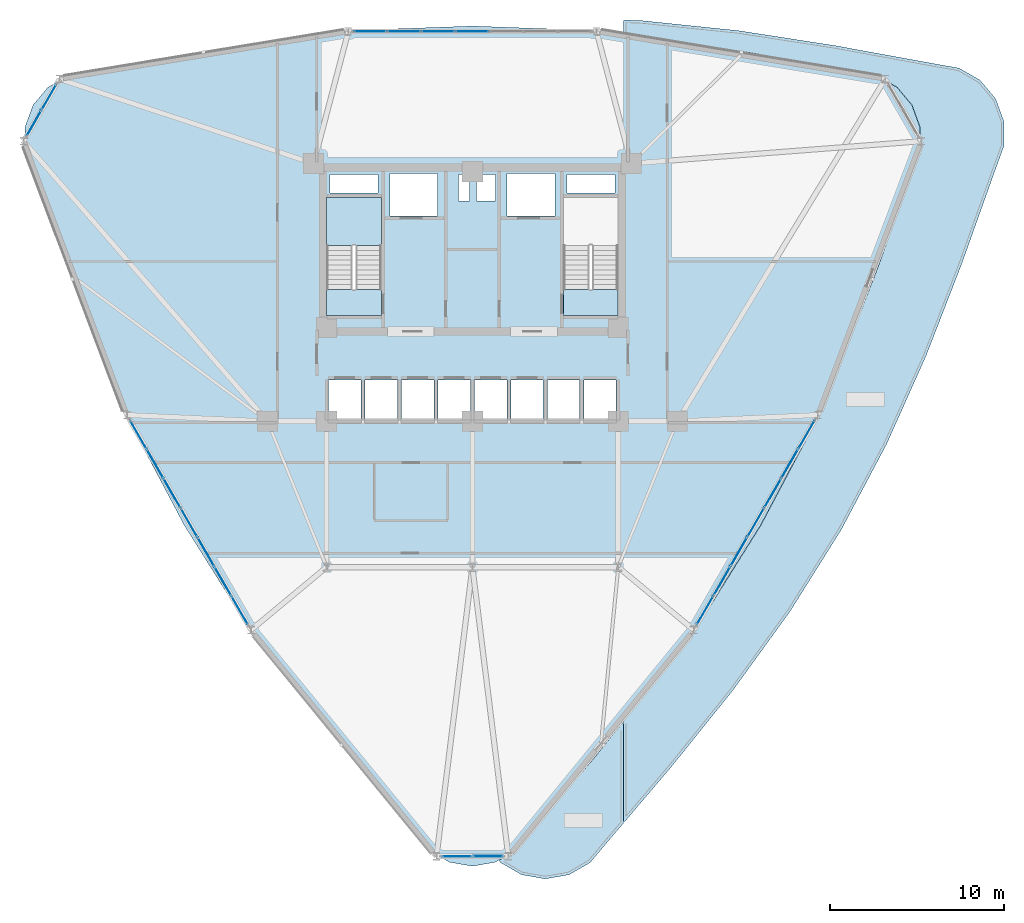
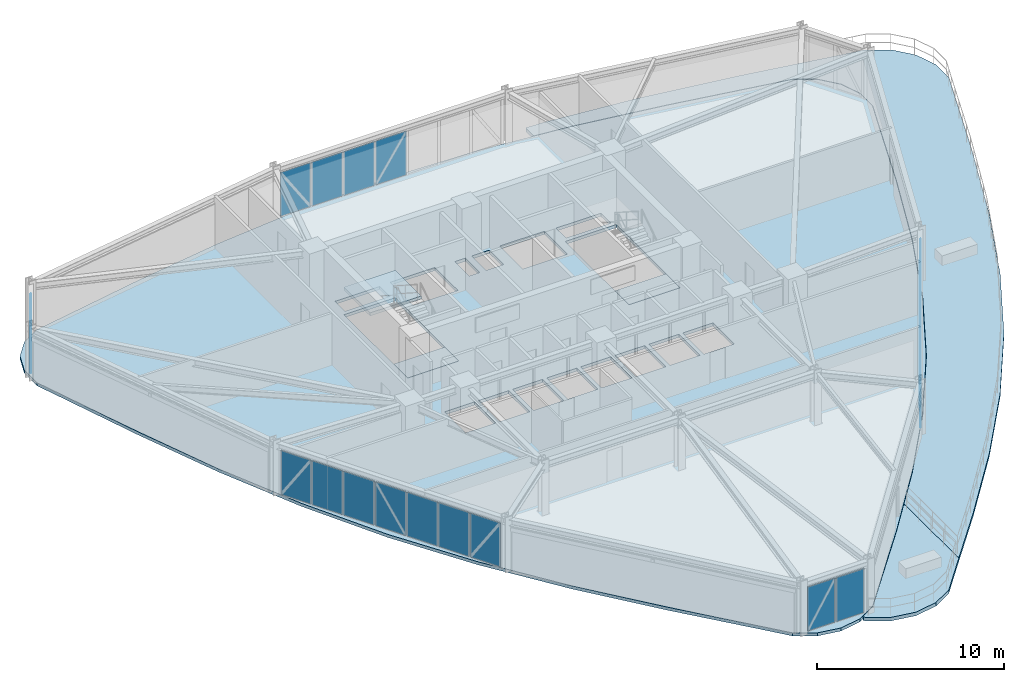
# One storey, part 16 of 23: 22 plates, 6 slabs, 6 elements without a shape of their own.
"""IFC4 building model written with IfcOpenShell, lengths in metres."""

from ifc_helpers import new_model, si_unit, derived_unit, direction, frame, origin, origin_2d, place, context, subcontext, project, spatial, polyline, rectangle, outline, extrude, source, transform, mapped, material, layer, layer_set, type_object, element, aggregate, save


model = new_model("IFC4")

# Units and contexts
model_context = context("Model", 3, precision=1e-05, world=origin(), true_north=direction((0.0, 1.0)))
body_context = subcontext(model_context, "Body", "Model", "MODEL_VIEW")
ifc_project = project(units=[si_unit("LENGTHUNIT", "METRE"), si_unit("AREAUNIT", "SQUARE_METRE"), si_unit("VOLUMEUNIT", "CUBIC_METRE"), si_unit("PLANEANGLEUNIT", "RADIAN"), si_unit("MASSUNIT", "GRAM", prefix="KILO"), derived_unit("THERMALTRANSMITTANCEUNIT", [(si_unit("POWERUNIT", "WATT"), 1), (si_unit("LENGTHUNIT", "METRE"), -2), (si_unit("THERMODYNAMICTEMPERATUREUNIT", "KELVIN"), -1)])], contexts=[model_context])

# Site, building, storey
site_placement = place(None, origin())
site = spatial("IfcSite", under=ifc_project, at=site_placement, CompositionType="ELEMENT")
building_placement = place(site_placement, origin())
building = spatial("IfcBuilding", under=site, at=building_placement, Name="Korsvarv Bourse and Concert Hall", CompositionType="ELEMENT")
storey_placement = place(building_placement, frame((0.0, 0.0, 99.0)))
storey = spatial("IfcBuildingStorey", under=building, at=storey_placement, Name="L24", CompositionType="ELEMENT", Elevation=99.0)

# Slabs
ifc_material_1 = material(Name="Precast concrete C45/55", Category="concrete")
ifc_layer_1 = layer(ifc_material_1, 0.199951171875)
ifc_layer_set_1 = layer_set([ifc_layer_1], Name="Precast concrete C45/55")
slab_type_1 = type_object("IfcSlabType", Name="SLB-FLND-T", PredefinedType="LANDING", material=ifc_layer_set_1)
slab_1_placement = place(storey_placement, frame((0.0, 0.0, -0.199951171875)))
element("IfcSlab", 1, at=slab_1_placement, inside=storey, type_object=slab_type_1, Name="L24 Stair ST-T1 Floor Landing Slab", PredefinedType="LANDING", context=body_context, shape_type="SweptSolid", body=[
    extrude(outline(polyline([(30.760009765625, 38.5), (30.760009765625, 40.0), (27.60009765625, 40.0), (27.60009765625, 38.5), (30.760009765625, 38.5)])), origin(), (0.0, 0.0, 1.0), 0.199951171875),
])
slab_2_placement = place(storey_placement, frame((0.0, 0.0, -0.199951171875)))
element("IfcSlab", 2, at=slab_2_placement, inside=storey, type_object=slab_type_1, Name="L24 Stair ST-T2 Floor Landing Slab", PredefinedType="LANDING", context=body_context, shape_type="SweptSolid", body=[
    extrude(outline(polyline([(44.39990234375, 38.5), (44.39990234375, 40.0), (41.239990234375, 40.0), (41.239990234375, 38.5), (44.39990234375, 38.5)])), origin(), (0.0, 0.0, 1.0), 0.199951171875),
])
ifc_material_2 = material(Name="Concrete C45/55", Category="concrete")
ifc_layer_2 = layer(ifc_material_2, 0.22998046875)
ifc_layer_set_2 = layer_set([ifc_layer_2], Name="Concrete C45/55")
slab_type_2 = type_object("IfcSlabType", Name="SLB-SKY", PredefinedType="FLOOR", material=ifc_layer_set_2)
slab_3_placement = place(storey_placement, frame((0.0, 0.0, -0.22998046875)))
element("IfcSlab", 3, at=slab_3_placement, inside=storey, type_object=slab_type_2, Name="L24 Crescent Sky Garden Terrace 1", PredefinedType="FLOOR", context=body_context, shape_type="SweptSolid", body=[
    extrude(outline(polyline([(49.720947265625, 21.80224609375), (49.721435546875, 21.802978515625), (52.60888671875, 26.409912109375), (52.609375, 26.41064453125), (52.60986328125, 26.411376953125), (55.15576171875, 31.21533203125), (55.15625, 31.21630859375), (55.156494140625, 31.216796875), (57.39111328125, 36.21240234375), (57.391357421875, 36.212890625), (57.3916015625, 36.213623046875), (59.39111328125, 41.365478515625), (59.39111328125, 41.36572265625), (59.391357421875, 41.3662109375), (61.26708984375, 46.615478515625), (61.26708984375, 46.615478515625), (61.268798828125, 46.6201171875), (61.268798828125, 46.620361328125), (61.7783203125, 48.020263671875), (61.778564453125, 48.020751953125), (61.77880859375, 48.02197265625), (61.779052734375, 48.02294921875), (61.779296875, 48.0244140625), (61.779296875, 48.02490234375), (61.779296875, 49.35888671875), (61.779296875, 49.359375), (61.779052734375, 49.360595703125), (61.77880859375, 49.361572265625), (61.778564453125, 49.36279296875), (61.7783203125, 49.36328125), (61.322021484375, 50.616943359375), (61.322021484375, 50.617431640625), (61.3212890625, 50.61865234375), (61.32080078125, 50.619384765625), (61.320068359375, 50.62060546875), (61.319580078125, 50.62109375), (60.46240234375, 51.642822265625), (60.4619140625, 51.643310546875), (60.4609375, 51.644287109375), (60.460205078125, 51.64501953125), (60.458984375, 51.645751953125), (60.45849609375, 51.64599609375), (59.30322265625, 52.31298828125), (59.302734375, 52.313232421875), (59.301513671875, 52.313720703125), (59.30078125, 52.314208984375), (59.29931640625, 52.314453125), (59.298828125, 52.314697265625), (57.831787109375, 52.5732421875), (57.83154296875, 52.5732421875), (57.826904296875, 52.57421875), (57.82666015625, 52.57421875), (52.343017578125, 53.574462890625), (52.342529296875, 53.574462890625), (52.34228515625, 53.57470703125), (46.880859375, 54.4189453125), (46.88037109375, 54.4189453125), (46.87939453125, 54.419189453125), (44.75390625, 54.638671875), (44.748046875, 54.6396484375), (44.7421875, 54.64111328125), (44.73681640625, 54.64306640625), (44.7314453125, 54.6455078125), (44.7265625, 54.648681640625), (44.7216796875, 54.652099609375), (44.717529296875, 54.656005859375), (44.71337890625, 54.660400390625), (44.7099609375, 54.665283203125), (44.70703125, 54.670166015625), (44.70458984375, 54.675537109375), (44.70263671875, 54.68115234375), (44.701171875, 54.686767578125), (44.7001953125, 54.692626953125), (44.699951171875, 54.698486328125), (44.699951171875, 55.457763671875), (44.7001953125, 55.463623046875), (44.701171875, 55.4697265625), (44.70263671875, 55.4755859375), (44.704833984375, 55.481201171875), (44.70751953125, 55.486572265625), (44.710693359375, 55.49169921875), (44.714111328125, 55.49658203125), (44.718505859375, 55.5009765625), (44.722900390625, 55.5048828125), (44.727783203125, 55.50830078125), (44.73291015625, 55.51123046875), (44.738525390625, 55.513916015625), (44.744384765625, 55.515625), (44.750244140625, 55.516845703125), (44.756103515625, 55.517578125), (44.76220703125, 55.517578125), (45.752197265625, 55.481689453125), (45.756103515625, 55.4814453125), (51.316650390625, 54.905517578125), (51.319580078125, 54.9052734375), (56.899169921875, 54.040283203125), (56.900634765625, 54.040283203125), (62.50341796875, 53.015869140625), (62.50390625, 53.015869140625), (62.5087890625, 53.014892578125), (62.509033203125, 53.014892578125), (64.0263671875, 52.747314453125), (64.031494140625, 52.74609375), (64.036376953125, 52.74462890625), (64.041259765625, 52.74267578125), (64.0458984375, 52.740234375), (65.236328125, 52.052978515625), (65.240966796875, 52.050048828125), (65.2451171875, 52.046875), (65.248779296875, 52.04345703125), (65.25244140625, 52.03955078125), (66.135986328125, 50.986328125), (66.139404296875, 50.982177734375), (66.14208984375, 50.977783203125), (66.14453125, 50.97314453125), (66.146484375, 50.96826171875), (66.61669921875, 49.67626953125), (66.618408203125, 49.671142578125), (66.619384765625, 49.666015625), (66.6201171875, 49.660888671875), (66.620361328125, 49.65576171875), (66.620361328125, 48.281005859375), (66.6201171875, 48.275634765625), (66.619384765625, 48.2705078125), (66.618408203125, 48.265380859375), (66.61669921875, 48.260498046875), (66.08984375, 46.812744140625), (66.08984375, 46.812744140625), (66.088134765625, 46.8076171875), (64.173583984375, 41.443115234375), (64.173095703125, 41.44140625), (62.132080078125, 36.17724609375), (62.131103515625, 36.17431640625), (59.849365234375, 31.071044921875), (59.84765625, 31.0673828125), (57.24755859375, 26.16015625), (57.245361328125, 26.156494140625), (54.295654296875, 21.450927734375), (54.293212890625, 21.447509765625), (51.014404296875, 16.919921875), (51.012451171875, 16.91748046875), (47.473876953125, 12.517822265625), (47.472900390625, 12.5166015625), (44.8056640625, 9.37841796875), (44.8017578125, 9.3740234375), (44.79736328125, 9.3701171875), (44.79248046875, 9.36669921875), (44.78759765625, 9.364013671875), (44.7822265625, 9.361572265625), (44.776611328125, 9.359619140625), (44.77099609375, 9.358154296875), (44.76513671875, 9.357421875), (44.75927734375, 9.357177734375), (44.75341796875, 9.357666015625), (44.747802734375, 9.3583984375), (44.7421875, 9.35986328125), (44.736572265625, 9.362060546875), (44.731201171875, 9.364501953125), (44.726318359375, 9.367431640625), (44.7216796875, 9.37109375), (44.71728515625, 9.375), (44.71337890625, 9.37939453125), (44.7099609375, 9.384033203125), (44.70703125, 9.38916015625), (44.70458984375, 9.394287109375), (44.702392578125, 9.39990234375), (44.701171875, 9.405517578125), (44.7001953125, 9.411376953125), (44.699951171875, 9.417236328125), (44.699951171875, 15.09326171875), (44.7001953125, 15.09912109375), (44.701171875, 15.104736328125), (44.702392578125, 15.1103515625), (44.704345703125, 15.11572265625), (44.706787109375, 15.12109375), (44.709716796875, 15.126220703125), (44.713134765625, 15.130615234375), (46.510986328125, 17.367431640625), (46.51123046875, 17.367919921875), (46.51171875, 17.368408203125), (49.720458984375, 21.801513671875), (49.720947265625, 21.80224609375)])), origin(), (0.0, 0.0, 1.0), 0.22998046875),
])
slab_4_placement = place(storey_placement, frame((0.0, 0.0, -0.22998046875)))
element("IfcSlab", 4, at=slab_4_placement, inside=storey, type_object=slab_type_2, Name="L24 Crescent Sky Garden Terrace 2", PredefinedType="FLOOR", context=body_context, shape_type="SweptSolid", body=[
    extrude(outline(polyline([(38.476318359375, 7.66259765625), (38.477294921875, 7.663330078125), (38.47802734375, 7.663818359375), (38.47900390625, 7.664794921875), (38.4794921875, 7.665283203125), (39.43701171875, 8.806396484375), (39.43701171875, 8.806396484375), (39.440185546875, 8.810302734375), (39.4404296875, 8.810302734375), (43.04833984375, 13.059326171875), (43.048583984375, 13.0595703125), (43.048828125, 13.06005859375), (44.59326171875, 14.9814453125), (44.59716796875, 14.98583984375), (44.6015625, 14.989990234375), (44.606201171875, 14.993408203125), (44.611328125, 14.99658203125), (44.61669921875, 14.9990234375), (44.6220703125, 15.001220703125), (44.6279296875, 15.002685546875), (44.6337890625, 15.00341796875), (44.6396484375, 15.00390625), (44.6455078125, 15.003662109375), (44.6513671875, 15.002685546875), (44.656982421875, 15.00146484375), (44.66259765625, 14.99951171875), (44.66796875, 14.996826171875), (44.673095703125, 14.993896484375), (44.677978515625, 14.990478515625), (44.682373046875, 14.986328125), (44.686279296875, 14.982177734375), (44.689697265625, 14.977294921875), (44.69287109375, 14.972412109375), (44.6953125, 14.966796875), (44.697509765625, 14.961181640625), (44.69873046875, 14.95556640625), (44.69970703125, 14.94970703125), (44.699951171875, 14.94384765625), (44.699951171875, 9.27587890625), (44.69970703125, 9.27001953125), (44.69873046875, 9.263916015625), (44.697265625, 9.25830078125), (44.6953125, 9.25244140625), (44.692626953125, 9.2470703125), (44.689453125, 9.241943359375), (44.685791015625, 9.237060546875), (43.784423828125, 8.1767578125), (43.7841796875, 8.176513671875), (43.781005859375, 8.172607421875), (43.78076171875, 8.17236328125), (42.79052734375, 6.9921875), (42.787109375, 6.98828125), (42.783203125, 6.98486328125), (42.779052734375, 6.981689453125), (42.7744140625, 6.978759765625), (41.583984375, 6.29150390625), (41.579345703125, 6.2890625), (41.574462890625, 6.287109375), (41.569580078125, 6.285400390625), (41.564453125, 6.2841796875), (40.21044921875, 6.04541015625), (40.205078125, 6.044921875), (40.199951171875, 6.044677734375), (40.19482421875, 6.044921875), (40.189697265625, 6.04541015625), (38.835693359375, 6.2841796875), (38.83056640625, 6.285400390625), (38.825439453125, 6.287109375), (38.82080078125, 6.2890625), (38.81591796875, 6.29150390625), (37.62548828125, 6.978759765625), (37.62109375, 6.981689453125), (37.616943359375, 6.98486328125), (37.613037109375, 6.98828125), (37.609619140625, 6.9921875), (37.559326171875, 7.052001953125), (37.555908203125, 7.056396484375), (37.552978515625, 7.061279296875), (37.55029296875, 7.066650390625), (37.54833984375, 7.072021484375), (37.546875, 7.07763671875), (37.5458984375, 7.08349609375), (37.54541015625, 7.08935546875), (37.545654296875, 7.09521484375), (37.54638671875, 7.100830078125), (37.547607421875, 7.1064453125), (37.54931640625, 7.112060546875), (37.5517578125, 7.117431640625), (37.5546875, 7.122314453125), (37.55810546875, 7.127197265625), (37.561767578125, 7.131591796875), (37.56591796875, 7.135498046875), (37.570556640625, 7.13916015625), (37.575439453125, 7.142333984375), (38.475830078125, 7.662109375), (38.476318359375, 7.66259765625)])), origin(), (0.0, 0.0, 1.0), 0.22998046875),
])

# Stair, slab
stair_type = type_object("IfcStairType", Name="STR-TYPE-04", PredefinedType="HALF_TURN_STAIR", material=ifc_material_1)
stair_placement = place(storey_placement, origin())
stair = element("IfcStair", 5, at=stair_placement, inside=storey, type_object=stair_type, Name="L24 Tower West Exit Stair ST-T1", PredefinedType="HALF_TURN_STAIR")
ifc_layer_3 = layer(ifc_material_1, 0.199951171875)
ifc_layer_set_3 = layer_set([ifc_layer_3], Name="Precast concrete C45/55")
slab_type_3 = type_object("IfcSlabType", Name="SLB-ST-LND", PredefinedType="LANDING", material=ifc_layer_set_3)
slab_5_placement = place(storey_placement, frame((0.0, 0.0, 1.60009765625)))
slab_5 = element("IfcSlab", 6, at=slab_5_placement, type_object=slab_type_3, Name="ST-T1 landing 1", PredefinedType="LANDING", context=body_context, shape_type="SweptSolid", body=[
    extrude(outline(polyline([(30.760009765625, 42.52001953125), (30.760009765625, 45.300048828125), (27.60009765625, 45.300048828125), (27.60009765625, 42.52001953125), (30.760009765625, 42.52001953125)])), origin(), (0.0, 0.0, 1.0), 0.199951171875),
])
aggregate(stair, [slab_5])

# Slab
ifc_layer_4 = layer(ifc_material_2, 0.199951171875)
ifc_layer_set_4 = layer_set([ifc_layer_4], Name="Concrete C45/55")
slab_type_4 = type_object("IfcSlabType", Name="SLB-TW2", PredefinedType="FLOOR", material=ifc_layer_set_4)
slab_6_placement = place(storey_placement, frame((0.0, 0.0, -0.199951171875)))
element("IfcSlab", 7, at=slab_6_placement, inside=storey, type_object=slab_type_4, Name="L24 tower structural floor slab", PredefinedType="FLOOR", context=body_context, shape_type="SweptSolid", body=[
    extrude(outline(polyline([(61.257568359375, 46.618896484375), (59.3818359375, 41.369384765625), (57.382080078125, 36.216796875), (55.147216796875, 31.220458984375), (52.6005859375, 26.41552734375), (49.712646484375, 21.807861328125), (46.50341796875, 17.3740234375), (43.041015625, 13.06591796875), (39.4326171875, 8.81689453125), (39.429443359375, 8.81298828125), (38.47119140625, 7.671142578125), (37.31494140625, 7.003662109375), (36.0, 6.771728515625), (34.68505859375, 7.003662109375), (33.52880859375, 7.671142578125), (32.570556640625, 8.81298828125), (32.5673828125, 8.81689453125), (28.958984375, 13.06591796875), (25.49658203125, 17.3740234375), (22.287353515625, 21.807861328125), (19.3994140625, 26.41552734375), (16.852783203125, 31.220458984375), (14.617919921875, 36.216796875), (12.6181640625, 41.369384765625), (10.742431640625, 46.618896484375), (10.740478515625, 46.623779296875), (10.230712890625, 48.024169921875), (10.230712890625, 49.359375), (10.6875, 50.614013671875), (11.5458984375, 51.636962890625), (12.7021484375, 52.3046875), (14.169921875, 52.5634765625), (14.175048828125, 52.564453125), (19.6591796875, 53.564697265625), (25.12109375, 54.4091796875), (30.5654296875, 54.9716796875), (36.0, 55.168701171875), (41.4345703125, 54.9716796875), (46.87890625, 54.4091796875), (52.3408203125, 53.564697265625), (57.824951171875, 52.564453125), (57.830078125, 52.5634765625), (59.2978515625, 52.3046875), (60.4541015625, 51.636962890625), (61.3125, 50.614013671875), (61.769287109375, 49.359375), (61.769287109375, 48.024169921875), (61.259521484375, 46.623779296875), (61.257568359375, 46.618896484375)]), holes=[polyline([(30.760009765625, 38.5), (30.760009765625, 45.300048828125), (27.60009765625, 45.300048828125), (27.60009765625, 38.5), (30.760009765625, 38.5)]), polyline([(44.39990234375, 38.5), (44.39990234375, 45.300048828125), (41.239990234375, 45.300048828125), (41.239990234375, 38.5), (44.39990234375, 38.5)]), polyline([(31.239990234375, 44.219970703125), (34.0, 44.219970703125), (34.0, 46.679931640625), (31.239990234375, 46.679931640625), (31.239990234375, 44.219970703125)]), polyline([(38.0, 44.219970703125), (40.760009765625, 44.219970703125), (40.760009765625, 46.679931640625), (38.0, 46.679931640625), (38.0, 44.219970703125)]), polyline([(27.719970703125, 32.52001953125), (29.580078125, 32.52001953125), (29.580078125, 34.780029296875), (27.719970703125, 34.780029296875), (27.719970703125, 32.52001953125)]), polyline([(29.820068359375, 32.52001953125), (31.679931640625, 32.52001953125), (31.679931640625, 34.780029296875), (29.820068359375, 34.780029296875), (29.820068359375, 32.52001953125)]), polyline([(31.919921875, 32.52001953125), (33.780029296875, 32.52001953125), (33.780029296875, 34.780029296875), (31.919921875, 34.780029296875), (31.919921875, 32.52001953125)]), polyline([(34.02001953125, 32.52001953125), (35.8798828125, 32.52001953125), (35.8798828125, 34.780029296875), (34.02001953125, 34.780029296875), (34.02001953125, 32.52001953125)]), polyline([(36.1201171875, 32.52001953125), (37.97998046875, 32.52001953125), (37.97998046875, 34.780029296875), (36.1201171875, 34.780029296875), (36.1201171875, 32.52001953125)]), polyline([(38.219970703125, 32.52001953125), (40.080078125, 32.52001953125), (40.080078125, 34.780029296875), (38.219970703125, 34.780029296875), (38.219970703125, 32.52001953125)]), polyline([(40.320068359375, 32.52001953125), (42.179931640625, 32.52001953125), (42.179931640625, 34.780029296875), (40.320068359375, 34.780029296875), (40.320068359375, 32.52001953125)]), polyline([(42.419921875, 32.52001953125), (44.280029296875, 32.52001953125), (44.280029296875, 34.780029296875), (42.419921875, 34.780029296875), (42.419921875, 32.52001953125)]), polyline([(27.800048828125, 45.56005859375), (30.56005859375, 45.56005859375), (30.56005859375, 46.6201171875), (27.800048828125, 46.6201171875), (27.800048828125, 45.56005859375)]), polyline([(41.43994140625, 45.56005859375), (44.199951171875, 45.56005859375), (44.199951171875, 46.6201171875), (41.43994140625, 46.6201171875), (41.43994140625, 45.56005859375)]), polyline([(35.199951171875, 45.080078125), (35.840087890625, 45.080078125), (35.840087890625, 46.6201171875), (35.199951171875, 46.6201171875), (35.199951171875, 45.080078125)]), polyline([(36.239990234375, 45.080078125), (37.320068359375, 45.080078125), (37.320068359375, 46.6201171875), (36.239990234375, 46.6201171875), (36.239990234375, 45.080078125)])]), origin(), (0.0, 0.0, 1.0), 0.199951171875),
])

# Curtain wall, plates
ifc_material_3 = material(Name="Anodised aluminium and triple low-E glazing", Category="glass")
ifc_layer_5 = layer(ifc_material_3, 0.2099609375)
ifc_layer_set_5 = layer_set([ifc_layer_5], Name="Anodised aluminium and triple low-E glazing")
curtain_wall_type = type_object("IfcCurtainWallType", Name="CW-SYS-2", PredefinedType="NOTDEFINED", material=ifc_layer_set_5)
curtain_wall_1_placement = place(storey_placement, origin())
curtain_wall_1 = element("IfcCurtainWall", 8, at=curtain_wall_1_placement, inside=storey, type_object=curtain_wall_type, Name="L24 CW2 curtain wall CW-L24-F05", PredefinedType="NOTDEFINED")
ifc_material_4 = material(Name="Insulated spandrel glass", Category="glass")
ifc_layer_6 = layer(ifc_material_4, 0.031982421875)
ifc_layer_set_6 = layer_set([ifc_layer_6], Name="Insulated spandrel glass")
plate_type_1 = type_object("IfcPlateType", Name="CWP-SPD1", PredefinedType="CURTAIN_PANEL", material=ifc_layer_set_6)
shared_shape_1 = source(origin(), body_context, "Body", "SweptSolid", [
    extrude(rectangle(XDim=1.64306640625, YDim=0.031982421875, at=origin_2d()), origin(), (0.0, 0.0, 1.0), 2.8701171875),
])
plate_1_placement = place(storey_placement, frame((11.611328125, 51.06982421875, 0.06494140625), z_axis=(0.0, 0.0, 1.0), x_axis=(-0.500003073178, -0.866023629477, 0.0)))
plate_1 = element("IfcPlate", 9, at=plate_1_placement, type_object=plate_type_1, Name="CW2 spandrel shadow-box panel 1.1", PredefinedType="CURTAIN_PANEL", context=body_context, shape_type="MappedRepresentation", body=[
    mapped(shared_shape_1, transform((0.0, 0.0, 0.0), scale=1.0)),
])
ifc_material_5 = material(Name="Tempered triple insulated low-E architectural glass", Category="glass")
ifc_layer_7 = layer(ifc_material_5, 0.0380859375)
ifc_layer_set_7 = layer_set([ifc_layer_7], Name="Tempered triple insulated low-E architectural glass")
plate_type_2 = type_object("IfcPlateType", Name="CWP-VIS2", PredefinedType="CURTAIN_PANEL", material=ifc_layer_set_7)
shared_shape_2 = source(origin(), body_context, "Body", "SweptSolid", [
    extrude(rectangle(XDim=1.64306640625, YDim=0.0380859375, at=origin_2d()), origin(), (0.0, 0.0, 1.0), 2.8701171875),
])
plate_2_placement = place(storey_placement, frame((10.754638671875, 49.58642578125, 0.06494140625), z_axis=(0.0, 0.0, 1.0), x_axis=(-0.500003073178, -0.866023629477, 0.0)))
plate_2 = element("IfcPlate", 10, at=plate_2_placement, type_object=plate_type_2, Name="CW2 faceted panel 2.1", PredefinedType="CURTAIN_PANEL", context=body_context, shape_type="MappedRepresentation", body=[
    mapped(shared_shape_2, transform((0.0, 0.0, 0.0), scale=1.0)),
])
aggregate(curtain_wall_1, [plate_1, plate_2])

curtain_wall_2_placement = place(storey_placement, origin())
curtain_wall_2 = element("IfcCurtainWall", 11, at=curtain_wall_2_placement, inside=storey, type_object=curtain_wall_type, Name="L24 CW2 curtain wall CW-L24-F03", PredefinedType="NOTDEFINED")
shared_shape_3 = source(origin(), body_context, "Body", "SweptSolid", [
    extrude(rectangle(XDim=1.86376953125, YDim=0.031982421875, at=origin_2d()), origin(), (0.0, 0.0, 1.0), 2.8701171875),
])
plate_3_placement = place(storey_placement, frame((30.111328125, 54.8515625, 0.06494140625), z_axis=(0.0, 0.0, 1.0), x_axis=(-1.0, 0.0, 0.0)))
plate_3 = element("IfcPlate", 12, at=plate_3_placement, type_object=plate_type_1, Name="CW2 spandrel shadow-box panel 7.1", PredefinedType="CURTAIN_PANEL", context=body_context, shape_type="MappedRepresentation", body=[
    mapped(shared_shape_3, transform((0.0, 0.0, 0.0), scale=1.0)),
])
shared_shape_4 = source(origin(), body_context, "Body", "SweptSolid", [
    extrude(rectangle(XDim=1.898681640625, YDim=0.0380859375, at=origin_2d()), origin(), (0.0, 0.0, 1.0), 2.8701171875),
])
plate_4_placement = place(storey_placement, frame((34.03125, 54.8515625, 0.06494140625), z_axis=(0.0, 0.0, 1.0), x_axis=(-1.0, 0.0, 0.0)))
plate_4 = element("IfcPlate", 13, at=plate_4_placement, type_object=plate_type_2, Name="CW2 faceted panel 5.1", PredefinedType="CURTAIN_PANEL", context=body_context, shape_type="MappedRepresentation", body=[
    mapped(shared_shape_4, transform((0.0, 0.0, 0.0), scale=1.0)),
])
plate_5_placement = place(storey_placement, frame((32.062744140625, 54.8515625, 0.06494140625), z_axis=(0.0, 0.0, 1.0), x_axis=(-1.0, 0.0, 0.0)))
plate_5 = element("IfcPlate", 14, at=plate_5_placement, type_object=plate_type_2, Name="CW2 faceted panel 6.1", PredefinedType="CURTAIN_PANEL", context=body_context, shape_type="MappedRepresentation", body=[
    mapped(shared_shape_4, transform((0.0, 0.0, 0.0), scale=1.0)),
])
shared_shape_5 = source(origin(), body_context, "Body", "SweptSolid", [
    extrude(rectangle(XDim=1.898681640625, YDim=0.031982421875, at=origin_2d()), origin(), (0.0, 0.0, 1.0), 2.8701171875),
])
plate_6_placement = place(storey_placement, frame((36.0, 54.8515625, 0.06494140625), z_axis=(0.0, 0.0, 1.0), x_axis=(-1.0, 0.0, 0.0)))
plate_6 = element("IfcPlate", 15, at=plate_6_placement, type_object=plate_type_1, Name="CW2 spandrel shadow-box panel 4.1", PredefinedType="CURTAIN_PANEL", context=body_context, shape_type="MappedRepresentation", body=[
    mapped(shared_shape_5, transform((0.0, 0.0, 0.0), scale=1.0)),
])
aggregate(curtain_wall_2, [plate_6, plate_4, plate_5, plate_3])

curtain_wall_3_placement = place(storey_placement, origin())
curtain_wall_3 = element("IfcCurtainWall", 16, at=curtain_wall_3_placement, inside=storey, type_object=curtain_wall_type, Name="L24 CW2 curtain wall CW-L24-F07", PredefinedType="NOTDEFINED")
shared_shape_6 = source(origin(), body_context, "Body", "SweptSolid", [
    extrude(rectangle(XDim=1.84619140625, YDim=0.031982421875, at=origin_2d()), origin(), (0.0, 0.0, 1.0), 2.8701171875),
])
plate_7_placement = place(storey_placement, frame((16.756103515625, 31.628173828125, 0.06494140625), z_axis=(0.0, 0.0, 1.0), x_axis=(0.500002376695, -0.866024031595, 0.0)))
plate_7 = element("IfcPlate", 17, at=plate_7_placement, type_object=plate_type_1, Name="CW2 spandrel shadow-box panel 1.1", PredefinedType="CURTAIN_PANEL", context=body_context, shape_type="MappedRepresentation", body=[
    mapped(shared_shape_6, transform((0.0, 0.0, 0.0), scale=1.0)),
])
plate_8_placement = place(storey_placement, frame((22.592041015625, 21.520263671875, 0.06494140625), z_axis=(0.0, 0.0, 1.0), x_axis=(0.500002376695, -0.866024031595, 0.0)))
plate_8 = element("IfcPlate", 18, at=plate_8_placement, type_object=plate_type_1, Name="CW2 spandrel shadow-box panel 7.1", PredefinedType="CURTAIN_PANEL", context=body_context, shape_type="MappedRepresentation", body=[
    mapped(shared_shape_6, transform((0.0, 0.0, 0.0), scale=1.0)),
])

curtain_wall_4_placement = place(storey_placement, origin())
curtain_wall_4 = element("IfcCurtainWall", 19, at=curtain_wall_4_placement, inside=storey, type_object=curtain_wall_type, Name="L24 CW2 curtain wall CW-L24-F11", PredefinedType="NOTDEFINED")
plate_9_placement = place(storey_placement, frame((49.407958984375, 21.520263671875, 0.06494140625), z_axis=(0.0, 0.0, 1.0), x_axis=(0.500002376695, 0.866024031595, 0.0)))
plate_9 = element("IfcPlate", 20, at=plate_9_placement, type_object=plate_type_1, Name="CW2 spandrel shadow-box panel 1.1", PredefinedType="CURTAIN_PANEL", context=body_context, shape_type="MappedRepresentation", body=[
    mapped(shared_shape_6, transform((0.0, 0.0, 0.0), scale=1.0)),
])
plate_10_placement = place(storey_placement, frame((55.243896484375, 31.628173828125, 0.06494140625), z_axis=(0.0, 0.0, 1.0), x_axis=(0.500002376695, 0.866024031595, 0.0)))
plate_10 = element("IfcPlate", 21, at=plate_10_placement, type_object=plate_type_1, Name="CW2 spandrel shadow-box panel 7.1", PredefinedType="CURTAIN_PANEL", context=body_context, shape_type="MappedRepresentation", body=[
    mapped(shared_shape_6, transform((0.0, 0.0, 0.0), scale=1.0)),
])

# Plate
shared_shape_7 = source(origin(), body_context, "Body", "SweptSolid", [
    extrude(rectangle(XDim=1.881103515625, YDim=0.0380859375, at=origin_2d()), origin(), (0.0, 0.0, 1.0), 2.8701171875),
])
plate_11_placement = place(storey_placement, frame((17.722900390625, 29.95361328125, 0.06494140625), z_axis=(0.0, 0.0, 1.0), x_axis=(0.500002376695, -0.866024031595, 0.0)))
plate_11 = element("IfcPlate", 22, at=plate_11_placement, type_object=plate_type_2, Name="CW2 faceted panel 2.1", PredefinedType="CURTAIN_PANEL", context=body_context, shape_type="MappedRepresentation", body=[
    mapped(shared_shape_7, transform((0.0, 0.0, 0.0), scale=1.0)),
])

plate_12_placement = place(storey_placement, frame((18.698486328125, 28.263916015625, 0.06494140625), z_axis=(0.0, 0.0, 1.0), x_axis=(0.500002376695, -0.866024031595, 0.0)))
plate_12 = element("IfcPlate", 23, at=plate_12_placement, type_object=plate_type_2, Name="CW2 faceted panel 3.1", PredefinedType="CURTAIN_PANEL", context=body_context, shape_type="MappedRepresentation", body=[
    mapped(shared_shape_7, transform((0.0, 0.0, 0.0), scale=1.0)),
])

plate_13_placement = place(storey_placement, frame((20.649658203125, 24.884521484375, 0.06494140625), z_axis=(0.0, 0.0, 1.0), x_axis=(0.500002376695, -0.866024031595, 0.0)))
plate_13 = element("IfcPlate", 24, at=plate_13_placement, type_object=plate_type_2, Name="CW2 faceted panel 5.1", PredefinedType="CURTAIN_PANEL", context=body_context, shape_type="MappedRepresentation", body=[
    mapped(shared_shape_7, transform((0.0, 0.0, 0.0), scale=1.0)),
])

plate_14_placement = place(storey_placement, frame((21.625244140625, 23.19482421875, 0.06494140625), z_axis=(0.0, 0.0, 1.0), x_axis=(0.500002376695, -0.866024031595, 0.0)))
plate_14 = element("IfcPlate", 25, at=plate_14_placement, type_object=plate_type_2, Name="CW2 faceted panel 6.1", PredefinedType="CURTAIN_PANEL", context=body_context, shape_type="MappedRepresentation", body=[
    mapped(shared_shape_7, transform((0.0, 0.0, 0.0), scale=1.0)),
])

plate_15_placement = place(storey_placement, frame((50.374755859375, 23.19482421875, 0.06494140625), z_axis=(0.0, 0.0, 1.0), x_axis=(0.500002376695, 0.866024031595, 0.0)))
plate_15 = element("IfcPlate", 26, at=plate_15_placement, type_object=plate_type_2, Name="CW2 faceted panel 2.1", PredefinedType="CURTAIN_PANEL", context=body_context, shape_type="MappedRepresentation", body=[
    mapped(shared_shape_7, transform((0.0, 0.0, 0.0), scale=1.0)),
])

plate_16_placement = place(storey_placement, frame((51.350341796875, 24.884521484375, 0.06494140625), z_axis=(0.0, 0.0, 1.0), x_axis=(0.500002376695, 0.866024031595, 0.0)))
plate_16 = element("IfcPlate", 27, at=plate_16_placement, type_object=plate_type_2, Name="CW2 faceted panel 3.1", PredefinedType="CURTAIN_PANEL", context=body_context, shape_type="MappedRepresentation", body=[
    mapped(shared_shape_7, transform((0.0, 0.0, 0.0), scale=1.0)),
])

plate_17_placement = place(storey_placement, frame((53.301513671875, 28.263916015625, 0.06494140625), z_axis=(0.0, 0.0, 1.0), x_axis=(0.500002376695, 0.866024031595, 0.0)))
plate_17 = element("IfcPlate", 28, at=plate_17_placement, type_object=plate_type_2, Name="CW2 faceted panel 5.1", PredefinedType="CURTAIN_PANEL", context=body_context, shape_type="MappedRepresentation", body=[
    mapped(shared_shape_7, transform((0.0, 0.0, 0.0), scale=1.0)),
])

plate_18_placement = place(storey_placement, frame((54.277099609375, 29.95361328125, 0.06494140625), z_axis=(0.0, 0.0, 1.0), x_axis=(0.500002376695, 0.866024031595, 0.0)))
plate_18 = element("IfcPlate", 29, at=plate_18_placement, type_object=plate_type_2, Name="CW2 faceted panel 6.1", PredefinedType="CURTAIN_PANEL", context=body_context, shape_type="MappedRepresentation", body=[
    mapped(shared_shape_7, transform((0.0, 0.0, 0.0), scale=1.0)),
])

shared_shape_8 = source(origin(), body_context, "Body", "SweptSolid", [
    extrude(rectangle(XDim=1.881103515625, YDim=0.031982421875, at=origin_2d()), origin(), (0.0, 0.0, 1.0), 2.8701171875),
])
plate_19_placement = place(storey_placement, frame((19.674072265625, 26.57421875, 0.06494140625), z_axis=(0.0, 0.0, 1.0), x_axis=(0.500002376695, -0.866024031595, 0.0)))
plate_19 = element("IfcPlate", 30, at=plate_19_placement, type_object=plate_type_1, Name="CW2 spandrel shadow-box panel 4.1", PredefinedType="CURTAIN_PANEL", context=body_context, shape_type="MappedRepresentation", body=[
    mapped(shared_shape_8, transform((0.0, 0.0, 0.0), scale=1.0)),
])

aggregate(curtain_wall_3, [plate_7, plate_11, plate_12, plate_19, plate_13, plate_14, plate_8])

plate_20_placement = place(storey_placement, frame((52.325927734375, 26.57421875, 0.06494140625), z_axis=(0.0, 0.0, 1.0), x_axis=(0.500002376695, 0.866024031595, 0.0)))
plate_20 = element("IfcPlate", 31, at=plate_20_placement, type_object=plate_type_1, Name="CW2 spandrel shadow-box panel 4.1", PredefinedType="CURTAIN_PANEL", context=body_context, shape_type="MappedRepresentation", body=[
    mapped(shared_shape_8, transform((0.0, 0.0, 0.0), scale=1.0)),
])

aggregate(curtain_wall_4, [plate_9, plate_15, plate_16, plate_20, plate_17, plate_18, plate_10])

# Curtain wall, plates
curtain_wall_5_placement = place(storey_placement, origin())
curtain_wall_5 = element("IfcCurtainWall", 32, at=curtain_wall_5_placement, inside=storey, type_object=curtain_wall_type, Name="L24 CW2 curtain wall CW-L24-F09", PredefinedType="NOTDEFINED")
shared_shape_9 = source(origin(), body_context, "Body", "SweptSolid", [
    extrude(rectangle(XDim=1.704345703125, YDim=0.031982421875, at=origin_2d()), origin(), (0.0, 0.0, 1.0), 2.8701171875),
])
plate_21_placement = place(storey_placement, frame((35.11279296875, 7.34375, 0.06494140625), z_axis=(0.0, 0.0, 1.0), x_axis=(1.0, 0.0, 0.0)))
plate_21 = element("IfcPlate", 33, at=plate_21_placement, type_object=plate_type_1, Name="CW2 spandrel shadow-box panel 1.1", PredefinedType="CURTAIN_PANEL", context=body_context, shape_type="MappedRepresentation", body=[
    mapped(shared_shape_9, transform((0.0, 0.0, 0.0), scale=1.0)),
])
shared_shape_10 = source(origin(), body_context, "Body", "SweptSolid", [
    extrude(rectangle(XDim=1.704345703125, YDim=0.0380859375, at=origin_2d()), origin(), (0.0, 0.0, 1.0), 2.8701171875),
])
plate_22_placement = place(storey_placement, frame((36.88720703125, 7.34375, 0.06494140625), z_axis=(0.0, 0.0, 1.0), x_axis=(1.0, 0.0, 0.0)))
plate_22 = element("IfcPlate", 34, at=plate_22_placement, type_object=plate_type_2, Name="CW2 faceted panel 2.1", PredefinedType="CURTAIN_PANEL", context=body_context, shape_type="MappedRepresentation", body=[
    mapped(shared_shape_10, transform((0.0, 0.0, 0.0), scale=1.0)),
])
aggregate(curtain_wall_5, [plate_21, plate_22])

save(model, "model.ifc")
